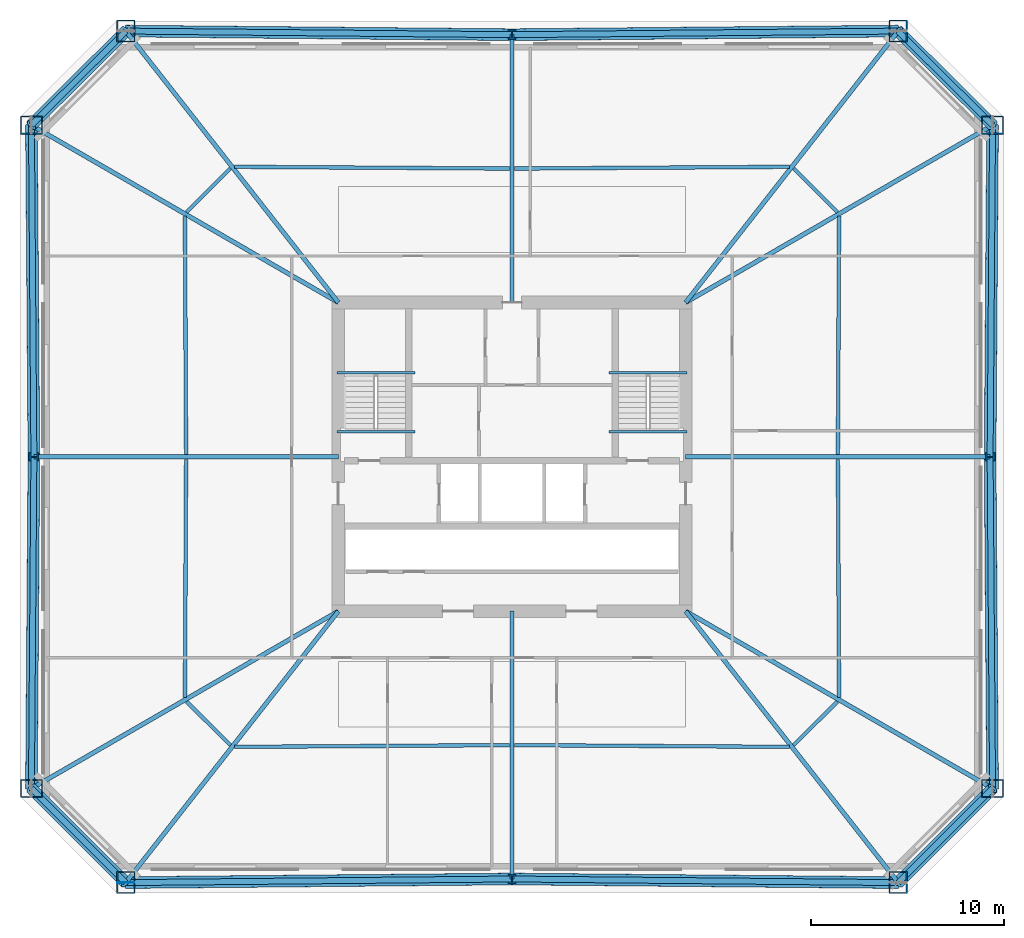
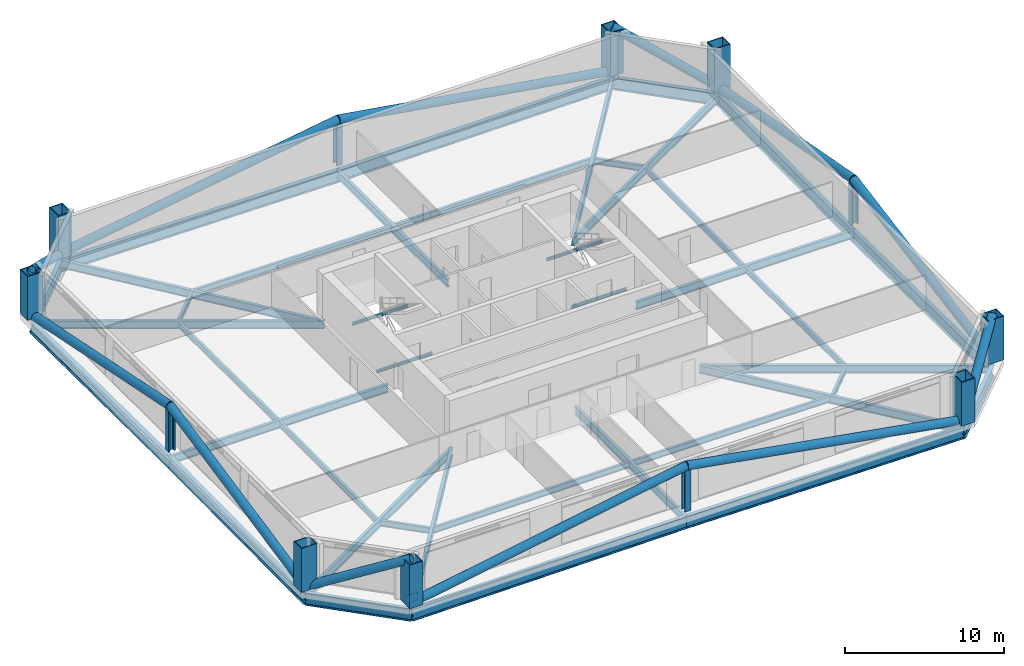
# One storey, part 1 of 8: 40 beams, 12 columns, 12 members, 1 plate.
"""IFC4 building model written with IfcOpenShell, lengths in metres."""

from ifc_helpers import new_model, si_unit, direction, frame, origin, origin_2d, place, context, subcontext, project, spatial, rectangle, hollow_rectangle, hollow_circle, i_section, extrude, material, layer, layer_set, material_profile, profile_set, type_object, element, save


model = new_model("IFC4")

# Units and contexts
model_context = context("Model", 3, precision=1e-05, world=origin(), true_north=direction((0.0, 1.0)))
body_context = subcontext(model_context, "Body", "Model", "MODEL_VIEW")
ifc_project = project(units=[si_unit("LENGTHUNIT", "METRE"), si_unit("AREAUNIT", "SQUARE_METRE"), si_unit("VOLUMEUNIT", "CUBIC_METRE"), si_unit("PLANEANGLEUNIT", "RADIAN"), si_unit("MASSUNIT", "GRAM", prefix="KILO")], contexts=[model_context])

# Site, building, storey
site_placement = place(None, origin())
site = spatial("IfcSite", under=ifc_project, at=site_placement, CompositionType="ELEMENT")
building_placement = place(site_placement, origin())
building = spatial("IfcBuilding", under=site, at=building_placement, Name="Caelvoria Tower", CompositionType="ELEMENT")
storey_placement = place(building_placement, frame((0.0, 0.0, 49.60009765625)))
storey = spatial("IfcBuildingStorey", under=building, at=storey_placement, Name="L12", CompositionType="ELEMENT", Elevation=49.60009765625)

# Columns
ifc_material_1 = material(Name="Structural Steel ASTM A913 Gr.65", Category="steel")
ifc_material_profile_1 = material_profile(ifc_material_1, i_section(OverallWidth=0.427978515625, OverallDepth=0.48291015625, WebThickness=0.050537109375, FlangeThickness=0.08154296875, FilletRadius=0.02490234375, at=origin_2d()), Name="Structural Steel ASTM A913 Gr.65")
ifc_profile_set_1 = profile_set([ifc_material_profile_1], Name="W360X677 - Structural Steel ASTM A913 Gr.65")
column_type_1 = type_object("IfcColumnType", Name="Heavy Frame Column W360X677", PredefinedType="COLUMN", material=ifc_profile_set_1)
for number, where, z_axis, x_axis, name in (
    (1, (46.0, 10.1201171875, 0.0), (0.0, 0.0, 1.0), (1.0, 0.0, 0.0), "Perimeter Megaframe Column L12-P01"),
    (2, (70.780029296875, 32.0, 0.0), (0.0, 0.0, 1.0), (0.0, 1.0, 0.0), "Perimeter Megaframe Column L12-P04"),
    (3, (46.0, 53.8798828125, 0.0), (0.0, 0.0, 1.0), (1.0, 0.0, 0.0), "Perimeter Megaframe Column L12-P07"),
    (4, (21.219970703125, 32.0, 0.0), (0.0, 0.0, 1.0), (0.0, 1.0, 0.0), "Perimeter Megaframe Column L12-P10"),
):
    element("IfcColumn", number, at=place(storey_placement, frame(where, z_axis=z_axis, x_axis=x_axis)), inside=storey, type_object=column_type_1, Name=name, PredefinedType="COLUMN", context=body_context, shape_type="SweptSolid", body=[
        extrude(i_section(OverallWidth=0.427978515625, OverallDepth=0.48291015625, WebThickness=0.050537109375, FlangeThickness=0.08154296875, FilletRadius=0.02490234375, at=origin_2d()), origin(), (0.0, 0.0, 1.0), 3.35791015625),
    ])
ifc_material_2 = material(Name="Structural Steel ASTM A572 Gr.50", Category="steel")
ifc_material_profile_2 = material_profile(ifc_material_2, hollow_rectangle(XDim=0.949951171875, YDim=1.14990234375, WallThickness=0.06005859375, at=origin_2d()), Name="Structural Steel ASTM A572 Gr.50")
ifc_profile_set_2 = profile_set([ifc_material_profile_2], Name="BOX1150X950X60 - Structural Steel ASTM A572 Gr.50")
column_type_2 = type_object("IfcColumnType", Name="Mega Box Column 1150x950x60", PredefinedType="COLUMN", material=ifc_profile_set_2)
for number, where, z_axis, x_axis, name in (
    (5, (25.983642578125, 9.933349609375, 0.0), (0.0, 0.0, 1.0), (1.0, 0.0, 0.0), "Perimeter Megaframe Column L12-P00"),
    (6, (66.016357421875, 9.933349609375, 0.0), (0.0, 0.0, 1.0), (1.0, 0.0, 0.0), "Perimeter Megaframe Column L12-P02"),
    (7, (70.907470703125, 14.80908203125, 0.0), (0.0, 0.0, 1.0), (0.0, 1.0, 0.0), "Perimeter Megaframe Column L12-P03"),
    (8, (70.907470703125, 49.19091796875, 0.0), (0.0, 0.0, 1.0), (0.0, 1.0, 0.0), "Perimeter Megaframe Column L12-P05"),
    (9, (66.016357421875, 54.066650390625, 0.0), (0.0, 0.0, 1.0), (1.0, 0.0, 0.0), "Perimeter Megaframe Column L12-P06"),
    (10, (25.983642578125, 54.066650390625, 0.0), (0.0, 0.0, 1.0), (1.0, 0.0, 0.0), "Perimeter Megaframe Column L12-P08"),
    (11, (21.092529296875, 49.19091796875, 0.0), (0.0, 0.0, 1.0), (0.0, 1.0, 0.0), "Perimeter Megaframe Column L12-P09"),
    (12, (21.092529296875, 14.80908203125, 0.0), (0.0, 0.0, 1.0), (0.0, 1.0, 0.0), "Perimeter Megaframe Column L12-P11"),
):
    element("IfcColumn", number, at=place(storey_placement, frame(where, z_axis=z_axis, x_axis=x_axis)), inside=storey, type_object=column_type_2, Name=name, PredefinedType="COLUMN", context=body_context, shape_type="SweptSolid", body=[
        extrude(hollow_rectangle(XDim=0.949951171875, YDim=1.14990234375, WallThickness=0.06005859375, at=origin_2d()), origin(), (0.0, 0.0, 1.0), 3.35791015625),
    ])

# Beams
ifc_material_3 = material(Name="Structural Steel ASTM A992 Gr.50", Category="steel")
ifc_material_profile_3 = material_profile(ifc_material_3, i_section(OverallWidth=0.134033203125, OverallDepth=0.2099609375, WebThickness=0.00634765625, FlangeThickness=0.01025390625, FilletRadius=0.010009765625, at=origin_2d()), Name="Structural Steel ASTM A992 Gr.50")
ifc_profile_set_3 = profile_set([ifc_material_profile_3], Name="W200X31.3 - Structural Steel ASTM A992 Gr.50")
beam_type_1 = type_object("IfcBeamType", Name="Canopy Edge Trim Beam W200X31.3", PredefinedType="BEAM", material=ifc_profile_set_3)
for number, where, z_axis, x_axis, name in (
    (13, (36.929931640625, 36.35009765625, 1.494873046875), (1.0, 0.0, 0.0), (0.0, 1.0, 0.0), "ST-01 Half-Landing Support Beam L12"),
    (14, (36.929931640625, 33.300048828125, -0.30517578125), (1.0, 0.0, 0.0), (0.0, 1.0, 0.0), "ST-01 Floor-Landing Support Beam L12"),
    (15, (51.030029296875, 36.35009765625, 1.494873046875), (1.0, 0.0, 0.0), (0.0, 1.0, 0.0), "ST-02 Half-Landing Support Beam L12"),
    (16, (51.030029296875, 33.300048828125, -0.30517578125), (1.0, 0.0, 0.0), (0.0, 1.0, 0.0), "ST-02 Floor-Landing Support Beam L12"),
):
    element("IfcBeam", number, at=place(storey_placement, frame(where, z_axis=z_axis, x_axis=x_axis)), inside=storey, type_object=beam_type_1, Name=name, PredefinedType="BEAM", context=body_context, shape_type="SweptSolid", body=[
        extrude(i_section(OverallWidth=0.134033203125, OverallDepth=0.2099609375, WebThickness=0.00634765625, FlangeThickness=0.01025390625, FilletRadius=0.010009765625, at=origin_2d()), origin(), (0.0, 0.0, 1.0), 4.0400390625),
    ])

# Members
ifc_material_profile_4 = material_profile(ifc_material_2, hollow_circle(Radius=0.304931640625, WallThickness=0.02490234375, at=origin_2d()), Name="Structural Steel ASTM A572 Gr.50")
ifc_profile_set_4 = profile_set([ifc_material_profile_4], Name="CHS610X25 - Structural Steel ASTM A572 Gr.50")
member_type = type_object("IfcMemberType", Name="Lower Perimeter Mega Brace CHS610X25", PredefinedType="BRACE", material=ifc_profile_set_4)
for number, where, z_axis, x_axis, name in (
    (17, (66.016357421875, 9.933349609375, 0.0), (0.636852711244, 0.634850029762, 0.437474643713), (-0.705992351769, 0.708219456979, 0.0), "Perimeter Chamfer Mega Brace L12 SE"),
    (18, (70.907470703125, 49.19091796875, 0.0), (-0.636852711244, 0.634850029762, 0.437474643713), (-0.705992351769, -0.708219456979, 0.0), "Perimeter Chamfer Mega Brace L12 NE"),
    (19, (25.983642578125, 54.066650390625, 0.0), (-0.636852711244, -0.634850029762, 0.437474643713), (0.705992351769, -0.708219456979, 0.0), "Perimeter Chamfer Mega Brace L12 NW"),
    (20, (21.092529296875, 14.80908203125, 0.0), (0.636852711244, -0.634850029762, 0.437474643713), (0.705992351769, 0.708219456979, 0.0), "Perimeter Chamfer Mega Brace L12 SW"),
):
    element("IfcMember", number, at=place(storey_placement, frame(where, z_axis=z_axis, x_axis=x_axis)), inside=storey, type_object=member_type, Name=name, PredefinedType="BRACE", context=body_context, shape_type="SweptSolid", body=[
        extrude(hollow_circle(Radius=0.304931640625, WallThickness=0.02490234375, at=origin_2d()), origin(), (0.0, 0.0, 1.0), 7.68017578125),
    ])
for number, where, z_axis, x_axis, name in (
    (21, (25.983642578125, 9.933349609375, 0.0), (0.986161327401, 0.009201622397, 0.165532977029), (-0.009330341403, 0.999956471417, 0.0), "Perimeter Cardinal Mega Brace L12 SA"),
    (22, (66.016357421875, 9.933349609375, 0.0), (-0.986161327401, 0.009201622397, 0.165532977029), (-0.009330341403, -0.999956471417, 0.0), "Perimeter Cardinal Mega Brace L12 SB"),
):
    element("IfcMember", number, at=place(storey_placement, frame(where, z_axis=z_axis, x_axis=x_axis)), inside=storey, type_object=member_type, Name=name, PredefinedType="BRACE", context=body_context, shape_type="SweptSolid", body=[
        extrude(hollow_circle(Radius=0.304931640625, WallThickness=0.02490234375, at=origin_2d()), origin(), (0.0, 0.0, 1.0), 20.29736328125),
    ])
for number, where, z_axis, x_axis, name in (
    (23, (70.907470703125, 14.80908203125, 0.0), (-0.00727544927, 0.981405143545, 0.191809833065), (-0.999972522635, -0.007413094794, 0.0), "Perimeter Cardinal Mega Brace L12 EA"),
    (24, (70.907470703125, 49.19091796875, 0.0), (-0.00727544927, -0.981405143545, 0.191809833065), (0.999972522635, -0.007413094794, 0.0), "Perimeter Cardinal Mega Brace L12 EB"),
):
    element("IfcMember", number, at=place(storey_placement, frame(where, z_axis=z_axis, x_axis=x_axis)), inside=storey, type_object=member_type, Name=name, PredefinedType="BRACE", context=body_context, shape_type="SweptSolid", body=[
        extrude(hollow_circle(Radius=0.304931640625, WallThickness=0.02490234375, at=origin_2d()), origin(), (0.0, 0.0, 1.0), 17.5166015625),
    ])
for number, where, z_axis, x_axis, name in (
    (25, (66.016357421875, 54.066650390625, 0.0), (-0.986161327401, -0.009201622397, 0.165532977029), (0.009330341403, -0.999956471417, 0.0), "Perimeter Cardinal Mega Brace L12 NA"),
    (26, (25.983642578125, 54.066650390625, 0.0), (0.986161327401, -0.009201622397, 0.165532977029), (0.009330341403, 0.999956471417, 0.0), "Perimeter Cardinal Mega Brace L12 NB"),
):
    element("IfcMember", number, at=place(storey_placement, frame(where, z_axis=z_axis, x_axis=x_axis)), inside=storey, type_object=member_type, Name=name, PredefinedType="BRACE", context=body_context, shape_type="SweptSolid", body=[
        extrude(hollow_circle(Radius=0.304931640625, WallThickness=0.02490234375, at=origin_2d()), origin(), (0.0, 0.0, 1.0), 20.29736328125),
    ])
for number, where, z_axis, x_axis, name in (
    (27, (21.092529296875, 49.19091796875, 0.0), (0.00727544927, -0.981405143545, 0.191809833065), (0.999972522635, 0.007413094794, 0.0), "Perimeter Cardinal Mega Brace L12 WA"),
    (28, (21.092529296875, 14.80908203125, 0.0), (0.00727544927, 0.981405143545, 0.191809833065), (-0.999972522635, 0.007413094794, 0.0), "Perimeter Cardinal Mega Brace L12 WB"),
):
    element("IfcMember", number, at=place(storey_placement, frame(where, z_axis=z_axis, x_axis=x_axis)), inside=storey, type_object=member_type, Name=name, PredefinedType="BRACE", context=body_context, shape_type="SweptSolid", body=[
        extrude(hollow_circle(Radius=0.304931640625, WallThickness=0.02490234375, at=origin_2d()), origin(), (0.0, 0.0, 1.0), 17.5166015625),
    ])

# Beams
ifc_material_profile_5 = material_profile(ifc_material_3, i_section(OverallWidth=0.30810546875, OverallDepth=0.927001953125, WebThickness=0.019287109375, FlangeThickness=0.031982421875, FilletRadius=0.02392578125, at=origin_2d()), Name="Structural Steel ASTM A992 Gr.50")
ifc_profile_set_5 = profile_set([ifc_material_profile_5], Name="W920X289 - Structural Steel ASTM A992 Gr.50")
beam_type_2 = type_object("IfcBeamType", Name="Outrigger Tie Girder W920X289", PredefinedType="BEAM", material=ifc_profile_set_5)
for number, where, z_axis, x_axis, name in (
    (29, (25.983642578125, 9.933349609375, -0.91357421875), (0.999956471417, 0.009330341403, 0.0), (-0.009330341403, 0.999956471417, 0.0), "Perimeter Spandrel Girder L12-00"),
    (30, (46.0, 10.1201171875, -0.91357421875), (0.999956471417, -0.009330341403, 0.0), (0.009330341403, 0.999956471417, 0.0), "Perimeter Spandrel Girder L12-01"),
):
    element("IfcBeam", number, at=place(storey_placement, frame(where, z_axis=z_axis, x_axis=x_axis)), inside=storey, type_object=beam_type_2, Name=name, PredefinedType="BEAM", context=body_context, shape_type="SweptSolid", body=[
        extrude(i_section(OverallWidth=0.30810546875, OverallDepth=0.927001953125, WebThickness=0.019287109375, FlangeThickness=0.031982421875, FilletRadius=0.02392578125, at=origin_2d()), origin(), (0.0, 0.0, 1.0), 20.017333984375),
    ])
beam_1_placement = place(storey_placement, frame((66.016357421875, 9.933349609375, -0.91357421875), z_axis=(0.708219456979, 0.705992351769, 0.0), x_axis=(-0.705992351769, 0.708219456979, 0.0)))
element("IfcBeam", 31, at=beam_1_placement, inside=storey, type_object=beam_type_2, Name="Perimeter Spandrel Girder L12-02", PredefinedType="BEAM", context=body_context, shape_type="SweptSolid", body=[
    extrude(i_section(OverallWidth=0.30810546875, OverallDepth=0.927001953125, WebThickness=0.019287109375, FlangeThickness=0.031982421875, FilletRadius=0.02392578125, at=origin_2d()), origin(), (0.0, 0.0, 1.0), 6.90625),
])
for number, where, z_axis, x_axis, name in (
    (32, (70.907470703125, 14.80908203125, -0.91357421875), (-0.007413094794, 0.999972522635, 0.0), (-0.999972522635, -0.007413094794, 0.0), "Perimeter Spandrel Girder L12-03"),
    (33, (70.780029296875, 32.0, -0.91357421875), (0.007413094794, 0.999972522635, 0.0), (-0.999972522635, 0.007413094794, 0.0), "Perimeter Spandrel Girder L12-04"),
):
    element("IfcBeam", number, at=place(storey_placement, frame(where, z_axis=z_axis, x_axis=x_axis)), inside=storey, type_object=beam_type_2, Name=name, PredefinedType="BEAM", context=body_context, shape_type="SweptSolid", body=[
        extrude(i_section(OverallWidth=0.30810546875, OverallDepth=0.927001953125, WebThickness=0.019287109375, FlangeThickness=0.031982421875, FilletRadius=0.02392578125, at=origin_2d()), origin(), (0.0, 0.0, 1.0), 17.19140625),
    ])
beam_2_placement = place(storey_placement, frame((70.907470703125, 49.19091796875, -0.91357421875), z_axis=(-0.708219456979, 0.705992351769, 0.0), x_axis=(-0.705992351769, -0.708219456979, 0.0)))
element("IfcBeam", 34, at=beam_2_placement, inside=storey, type_object=beam_type_2, Name="Perimeter Spandrel Girder L12-05", PredefinedType="BEAM", context=body_context, shape_type="SweptSolid", body=[
    extrude(i_section(OverallWidth=0.30810546875, OverallDepth=0.927001953125, WebThickness=0.019287109375, FlangeThickness=0.031982421875, FilletRadius=0.02392578125, at=origin_2d()), origin(), (0.0, 0.0, 1.0), 6.90625),
])
for number, where, z_axis, x_axis, name in (
    (35, (66.016357421875, 54.066650390625, -0.91357421875), (-0.999956471417, -0.009330341403, 0.0), (0.009330341403, -0.999956471417, 0.0), "Perimeter Spandrel Girder L12-06"),
    (36, (46.0, 53.8798828125, -0.91357421875), (-0.999956471417, 0.009330341403, 0.0), (-0.009330341403, -0.999956471417, 0.0), "Perimeter Spandrel Girder L12-07"),
):
    element("IfcBeam", number, at=place(storey_placement, frame(where, z_axis=z_axis, x_axis=x_axis)), inside=storey, type_object=beam_type_2, Name=name, PredefinedType="BEAM", context=body_context, shape_type="SweptSolid", body=[
        extrude(i_section(OverallWidth=0.30810546875, OverallDepth=0.927001953125, WebThickness=0.019287109375, FlangeThickness=0.031982421875, FilletRadius=0.02392578125, at=origin_2d()), origin(), (0.0, 0.0, 1.0), 20.017333984375),
    ])
beam_3_placement = place(storey_placement, frame((25.983642578125, 54.066650390625, -0.91357421875), z_axis=(-0.708219456979, -0.705992351769, 0.0), x_axis=(0.705992351769, -0.708219456979, 0.0)))
element("IfcBeam", 37, at=beam_3_placement, inside=storey, type_object=beam_type_2, Name="Perimeter Spandrel Girder L12-08", PredefinedType="BEAM", context=body_context, shape_type="SweptSolid", body=[
    extrude(i_section(OverallWidth=0.30810546875, OverallDepth=0.927001953125, WebThickness=0.019287109375, FlangeThickness=0.031982421875, FilletRadius=0.02392578125, at=origin_2d()), origin(), (0.0, 0.0, 1.0), 6.90625),
])
for number, where, z_axis, x_axis, name in (
    (38, (21.092529296875, 49.19091796875, -0.91357421875), (0.007413094794, -0.999972522635, 0.0), (0.999972522635, 0.007413094794, 0.0), "Perimeter Spandrel Girder L12-09"),
    (39, (21.219970703125, 32.0, -0.91357421875), (-0.007413094794, -0.999972522635, 0.0), (0.999972522635, -0.007413094794, 0.0), "Perimeter Spandrel Girder L12-10"),
):
    element("IfcBeam", number, at=place(storey_placement, frame(where, z_axis=z_axis, x_axis=x_axis)), inside=storey, type_object=beam_type_2, Name=name, PredefinedType="BEAM", context=body_context, shape_type="SweptSolid", body=[
        extrude(i_section(OverallWidth=0.30810546875, OverallDepth=0.927001953125, WebThickness=0.019287109375, FlangeThickness=0.031982421875, FilletRadius=0.02392578125, at=origin_2d()), origin(), (0.0, 0.0, 1.0), 17.19140625),
    ])
beam_4_placement = place(storey_placement, frame((21.092529296875, 14.80908203125, -0.91357421875), z_axis=(0.708219456979, -0.705992351769, 0.0), x_axis=(0.705992351769, 0.708219456979, 0.0)))
element("IfcBeam", 40, at=beam_4_placement, inside=storey, type_object=beam_type_2, Name="Perimeter Spandrel Girder L12-11", PredefinedType="BEAM", context=body_context, shape_type="SweptSolid", body=[
    extrude(i_section(OverallWidth=0.30810546875, OverallDepth=0.927001953125, WebThickness=0.019287109375, FlangeThickness=0.031982421875, FilletRadius=0.02392578125, at=origin_2d()), origin(), (0.0, 0.0, 1.0), 6.90625),
])
ifc_material_profile_6 = material_profile(ifc_material_3, i_section(OverallWidth=0.22900390625, OverallDepth=0.612060546875, WebThickness=0.011962890625, FlangeThickness=0.01953125, FilletRadius=0.01806640625, at=origin_2d()), Name="Structural Steel ASTM A992 Gr.50")
ifc_profile_set_6 = profile_set([ifc_material_profile_6], Name="W610X125 - Structural Steel ASTM A992 Gr.50")
beam_type_3 = type_object("IfcBeamType", Name="Primary Radial Floor Girder W610X125", PredefinedType="BEAM", material=ifc_profile_set_6)
beam_5_placement = place(storey_placement, frame((37.0, 24.0, -0.756103515625), z_axis=(-0.616574608336, -0.787296483134, 0.0), x_axis=(0.787296483134, -0.616574608336, 0.0)))
element("IfcBeam", 41, at=beam_5_placement, inside=storey, type_object=beam_type_3, Name="Primary Floor Girder L12-00", PredefinedType="BEAM", context=body_context, shape_type="SweptSolid", body=[
    extrude(i_section(OverallWidth=0.22900390625, OverallDepth=0.612060546875, WebThickness=0.011962890625, FlangeThickness=0.01953125, FilletRadius=0.01806640625, at=origin_2d()), origin(), (0.0, 0.0, 1.0), 17.866943359375),
])
beam_6_placement = place(storey_placement, frame((46.0, 24.0, -0.756103515625), z_axis=(0.0, -1.0, 0.0), x_axis=(1.0, 0.0, 0.0)))
element("IfcBeam", 42, at=beam_6_placement, inside=storey, type_object=beam_type_3, Name="Primary Floor Girder L12-01", PredefinedType="BEAM", context=body_context, shape_type="SweptSolid", body=[
    extrude(i_section(OverallWidth=0.22900390625, OverallDepth=0.612060546875, WebThickness=0.011962890625, FlangeThickness=0.01953125, FilletRadius=0.01806640625, at=origin_2d()), origin(), (0.0, 0.0, 1.0), 13.8798828125),
])
beam_7_placement = place(storey_placement, frame((55.0, 24.0, -0.756103515625), z_axis=(0.616574608336, -0.787296483134, 0.0), x_axis=(0.787296483134, 0.616574608336, 0.0)))
element("IfcBeam", 43, at=beam_7_placement, inside=storey, type_object=beam_type_3, Name="Primary Floor Girder L12-02", PredefinedType="BEAM", context=body_context, shape_type="SweptSolid", body=[
    extrude(i_section(OverallWidth=0.22900390625, OverallDepth=0.612060546875, WebThickness=0.011962890625, FlangeThickness=0.01953125, FilletRadius=0.01806640625, at=origin_2d()), origin(), (0.0, 0.0, 1.0), 17.866943359375),
])
beam_8_placement = place(storey_placement, frame((55.0, 24.0, -0.756103515625), z_axis=(0.865866608281, -0.500274941071, 0.0), x_axis=(0.500274941071, 0.865866608281, 0.0)))
element("IfcBeam", 44, at=beam_8_placement, inside=storey, type_object=beam_type_3, Name="Primary Floor Girder L12-03", PredefinedType="BEAM", context=body_context, shape_type="SweptSolid", body=[
    extrude(i_section(OverallWidth=0.22900390625, OverallDepth=0.612060546875, WebThickness=0.011962890625, FlangeThickness=0.01953125, FilletRadius=0.01806640625, at=origin_2d()), origin(), (0.0, 0.0, 1.0), 18.371826171875),
])
beam_9_placement = place(storey_placement, frame((55.0, 32.0, -0.756103515625), z_axis=(1.0, 0.0, 0.0), x_axis=(0.0, 1.0, 0.0)))
element("IfcBeam", 45, at=beam_9_placement, inside=storey, type_object=beam_type_3, Name="Primary Floor Girder L12-04", PredefinedType="BEAM", context=body_context, shape_type="SweptSolid", body=[
    extrude(i_section(OverallWidth=0.22900390625, OverallDepth=0.612060546875, WebThickness=0.011962890625, FlangeThickness=0.01953125, FilletRadius=0.01806640625, at=origin_2d()), origin(), (0.0, 0.0, 1.0), 15.780029296875),
])
beam_10_placement = place(storey_placement, frame((55.0, 40.0, -0.756103515625), z_axis=(0.865866608281, 0.500274941071, 0.0), x_axis=(-0.500274941071, 0.865866608281, 0.0)))
element("IfcBeam", 46, at=beam_10_placement, inside=storey, type_object=beam_type_3, Name="Primary Floor Girder L12-05", PredefinedType="BEAM", context=body_context, shape_type="SweptSolid", body=[
    extrude(i_section(OverallWidth=0.22900390625, OverallDepth=0.612060546875, WebThickness=0.011962890625, FlangeThickness=0.01953125, FilletRadius=0.01806640625, at=origin_2d()), origin(), (0.0, 0.0, 1.0), 18.371826171875),
])
beam_11_placement = place(storey_placement, frame((55.0, 40.0, -0.756103515625), z_axis=(0.616574608336, 0.787296483134, 0.0), x_axis=(-0.787296483134, 0.616574608336, 0.0)))
element("IfcBeam", 47, at=beam_11_placement, inside=storey, type_object=beam_type_3, Name="Primary Floor Girder L12-06", PredefinedType="BEAM", context=body_context, shape_type="SweptSolid", body=[
    extrude(i_section(OverallWidth=0.22900390625, OverallDepth=0.612060546875, WebThickness=0.011962890625, FlangeThickness=0.01953125, FilletRadius=0.01806640625, at=origin_2d()), origin(), (0.0, 0.0, 1.0), 17.866943359375),
])
beam_12_placement = place(storey_placement, frame((46.0, 40.0, -0.756103515625), z_axis=(0.0, 1.0, 0.0), x_axis=(-1.0, 0.0, 0.0)))
element("IfcBeam", 48, at=beam_12_placement, inside=storey, type_object=beam_type_3, Name="Primary Floor Girder L12-07", PredefinedType="BEAM", context=body_context, shape_type="SweptSolid", body=[
    extrude(i_section(OverallWidth=0.22900390625, OverallDepth=0.612060546875, WebThickness=0.011962890625, FlangeThickness=0.01953125, FilletRadius=0.01806640625, at=origin_2d()), origin(), (0.0, 0.0, 1.0), 13.8798828125),
])
beam_13_placement = place(storey_placement, frame((37.0, 40.0, -0.756103515625), z_axis=(-0.616574608336, 0.787296483134, 0.0), x_axis=(-0.787296483134, -0.616574608336, 0.0)))
element("IfcBeam", 49, at=beam_13_placement, inside=storey, type_object=beam_type_3, Name="Primary Floor Girder L12-08", PredefinedType="BEAM", context=body_context, shape_type="SweptSolid", body=[
    extrude(i_section(OverallWidth=0.22900390625, OverallDepth=0.612060546875, WebThickness=0.011962890625, FlangeThickness=0.01953125, FilletRadius=0.01806640625, at=origin_2d()), origin(), (0.0, 0.0, 1.0), 17.866943359375),
])
beam_14_placement = place(storey_placement, frame((37.0, 40.0, -0.756103515625), z_axis=(-0.865866608281, 0.500274941071, 0.0), x_axis=(-0.500274941071, -0.865866608281, 0.0)))
element("IfcBeam", 50, at=beam_14_placement, inside=storey, type_object=beam_type_3, Name="Primary Floor Girder L12-09", PredefinedType="BEAM", context=body_context, shape_type="SweptSolid", body=[
    extrude(i_section(OverallWidth=0.22900390625, OverallDepth=0.612060546875, WebThickness=0.011962890625, FlangeThickness=0.01953125, FilletRadius=0.01806640625, at=origin_2d()), origin(), (0.0, 0.0, 1.0), 18.371826171875),
])
beam_15_placement = place(storey_placement, frame((37.0, 32.0, -0.756103515625), z_axis=(-1.0, 0.0, 0.0), x_axis=(0.0, -1.0, 0.0)))
element("IfcBeam", 51, at=beam_15_placement, inside=storey, type_object=beam_type_3, Name="Primary Floor Girder L12-10", PredefinedType="BEAM", context=body_context, shape_type="SweptSolid", body=[
    extrude(i_section(OverallWidth=0.22900390625, OverallDepth=0.612060546875, WebThickness=0.011962890625, FlangeThickness=0.01953125, FilletRadius=0.01806640625, at=origin_2d()), origin(), (0.0, 0.0, 1.0), 15.780029296875),
])
beam_16_placement = place(storey_placement, frame((37.0, 24.0, -0.756103515625), z_axis=(-0.865866608281, -0.500274941071, 0.0), x_axis=(0.500274941071, -0.865866608281, 0.0)))
element("IfcBeam", 52, at=beam_16_placement, inside=storey, type_object=beam_type_3, Name="Primary Floor Girder L12-11", PredefinedType="BEAM", context=body_context, shape_type="SweptSolid", body=[
    extrude(i_section(OverallWidth=0.22900390625, OverallDepth=0.612060546875, WebThickness=0.011962890625, FlangeThickness=0.01953125, FilletRadius=0.01806640625, at=origin_2d()), origin(), (0.0, 0.0, 1.0), 18.371826171875),
])
ifc_material_profile_7 = material_profile(ifc_material_3, i_section(OverallWidth=0.18994140625, OverallDepth=0.45703125, WebThickness=0.009033203125, FlangeThickness=0.014404296875, FilletRadius=0.014892578125, at=origin_2d()), Name="Structural Steel ASTM A992 Gr.50")
ifc_profile_set_7 = profile_set([ifc_material_profile_7], Name="W460X74 - Structural Steel ASTM A992 Gr.50")
beam_type_4 = type_object("IfcBeamType", Name="Secondary Floor Beam W460X74", PredefinedType="BEAM", material=ifc_profile_set_7)
for number, where, z_axis, x_axis, name in (
    (53, (31.61669921875, 16.967529296875, -0.6787109375), (0.999979385934, 0.006420880616, 0.0), (-0.006420880616, 0.999979385934, 0.0), "Secondary Floor Beam L12-00"),
    (54, (46.125, 17.05908203125, -0.6787109375), (0.999979385934, -0.006420880616, 0.0), (0.006420880616, 0.999979385934, 0.0), "Secondary Floor Beam L12-01"),
):
    element("IfcBeam", number, at=place(storey_placement, frame(where, z_axis=z_axis, x_axis=x_axis)), inside=storey, type_object=beam_type_4, Name=name, PredefinedType="BEAM", context=body_context, shape_type="SweptSolid", body=[
        extrude(i_section(OverallWidth=0.18994140625, OverallDepth=0.45703125, WebThickness=0.009033203125, FlangeThickness=0.014404296875, FilletRadius=0.014892578125, at=origin_2d()), origin(), (0.0, 0.0, 1.0), 14.258544921875),
    ])
beam_17_placement = place(storey_placement, frame((60.5966796875, 17.054931640625, -0.6787109375), z_axis=(0.708211068275, 0.706000766835, 0.0), x_axis=(-0.706000766835, 0.708211068275, 0.0)))
element("IfcBeam", 55, at=beam_17_placement, inside=storey, type_object=beam_type_4, Name="Secondary Floor Beam L12-02", PredefinedType="BEAM", context=body_context, shape_type="SweptSolid", body=[
    extrude(i_section(OverallWidth=0.18994140625, OverallDepth=0.45703125, WebThickness=0.009033203125, FlangeThickness=0.014404296875, FilletRadius=0.014892578125, at=origin_2d()), origin(), (0.0, 0.0, 1.0), 3.203125),
])
for number, where, z_axis, x_axis, name in (
    (56, (62.953125, 19.529541015625, -0.6787109375), (-0.005062525351, 0.999987185336, 0.0), (-0.999987185336, -0.005062525351, 0.0), "Secondary Floor Beam L12-03"),
    (57, (62.890625, 32.125, -0.6787109375), (0.005062525351, 0.999987185336, 0.0), (-0.999987185336, 0.005062525351, 0.0), "Secondary Floor Beam L12-04"),
):
    element("IfcBeam", number, at=place(storey_placement, frame(where, z_axis=z_axis, x_axis=x_axis)), inside=storey, type_object=beam_type_4, Name=name, PredefinedType="BEAM", context=body_context, shape_type="SweptSolid", body=[
        extrude(i_section(OverallWidth=0.18994140625, OverallDepth=0.45703125, WebThickness=0.009033203125, FlangeThickness=0.014404296875, FilletRadius=0.014892578125, at=origin_2d()), origin(), (0.0, 0.0, 1.0), 12.345703125),
    ])
beam_18_placement = place(storey_placement, frame((62.865234375, 44.68359375, -0.6787109375), z_axis=(-0.708211068275, 0.706000766835, 0.0), x_axis=(-0.706000766835, -0.708211068275, 0.0)))
element("IfcBeam", 58, at=beam_18_placement, inside=storey, type_object=beam_type_4, Name="Secondary Floor Beam L12-05", PredefinedType="BEAM", context=body_context, shape_type="SweptSolid", body=[
    extrude(i_section(OverallWidth=0.18994140625, OverallDepth=0.45703125, WebThickness=0.009033203125, FlangeThickness=0.014404296875, FilletRadius=0.014892578125, at=origin_2d()), origin(), (0.0, 0.0, 1.0), 3.203125),
])
for number, where, z_axis, x_axis, name in (
    (59, (60.38330078125, 47.032470703125, -0.6787109375), (-0.999979385934, -0.006420880616, 0.0), (0.006420880616, -0.999979385934, 0.0), "Secondary Floor Beam L12-06"),
    (60, (45.875, 46.94091796875, -0.6787109375), (-0.999979385934, 0.006420880616, 0.0), (-0.006420880616, -0.999979385934, 0.0), "Secondary Floor Beam L12-07"),
):
    element("IfcBeam", number, at=place(storey_placement, frame(where, z_axis=z_axis, x_axis=x_axis)), inside=storey, type_object=beam_type_4, Name=name, PredefinedType="BEAM", context=body_context, shape_type="SweptSolid", body=[
        extrude(i_section(OverallWidth=0.18994140625, OverallDepth=0.45703125, WebThickness=0.009033203125, FlangeThickness=0.014404296875, FilletRadius=0.014892578125, at=origin_2d()), origin(), (0.0, 0.0, 1.0), 14.258544921875),
    ])
beam_19_placement = place(storey_placement, frame((31.4033203125, 46.945068359375, -0.6787109375), z_axis=(-0.708211068275, -0.706000766835, 0.0), x_axis=(0.706000766835, -0.708211068275, 0.0)))
element("IfcBeam", 61, at=beam_19_placement, inside=storey, type_object=beam_type_4, Name="Secondary Floor Beam L12-08", PredefinedType="BEAM", context=body_context, shape_type="SweptSolid", body=[
    extrude(i_section(OverallWidth=0.18994140625, OverallDepth=0.45703125, WebThickness=0.009033203125, FlangeThickness=0.014404296875, FilletRadius=0.014892578125, at=origin_2d()), origin(), (0.0, 0.0, 1.0), 3.203125),
])
for number, where, z_axis, x_axis, name in (
    (62, (29.046875, 44.470458984375, -0.6787109375), (0.005062525351, -0.999987185336, 0.0), (0.999987185336, 0.005062525351, 0.0), "Secondary Floor Beam L12-09"),
    (63, (29.109375, 31.875, -0.6787109375), (-0.005062525351, -0.999987185336, 0.0), (0.999987185336, -0.005062525351, 0.0), "Secondary Floor Beam L12-10"),
):
    element("IfcBeam", number, at=place(storey_placement, frame(where, z_axis=z_axis, x_axis=x_axis)), inside=storey, type_object=beam_type_4, Name=name, PredefinedType="BEAM", context=body_context, shape_type="SweptSolid", body=[
        extrude(i_section(OverallWidth=0.18994140625, OverallDepth=0.45703125, WebThickness=0.009033203125, FlangeThickness=0.014404296875, FilletRadius=0.014892578125, at=origin_2d()), origin(), (0.0, 0.0, 1.0), 12.345703125),
    ])
beam_20_placement = place(storey_placement, frame((29.134765625, 19.31640625, -0.6787109375), z_axis=(0.708211068275, -0.706000766835, 0.0), x_axis=(0.706000766835, 0.708211068275, 0.0)))
element("IfcBeam", 64, at=beam_20_placement, inside=storey, type_object=beam_type_4, Name="Secondary Floor Beam L12-11", PredefinedType="BEAM", context=body_context, shape_type="SweptSolid", body=[
    extrude(i_section(OverallWidth=0.18994140625, OverallDepth=0.45703125, WebThickness=0.009033203125, FlangeThickness=0.014404296875, FilletRadius=0.014892578125, at=origin_2d()), origin(), (0.0, 0.0, 1.0), 3.203125),
])

# Plate
ifc_layer = layer(ifc_material_2, 0.0400390625, Name="Structural Steel ASTM A572 Gr.50")
ifc_layer_set = layer_set([ifc_layer], Name="Megaframe Node Gusset Plate 900x600x40 - Structural Steel ASTM A572 Gr.50")
plate_type = type_object("IfcPlateType", Name="Megaframe Node Gusset Plate 900x600x40", PredefinedType="USERDEFINED", material=ifc_layer_set)
plate_placement = place(storey_placement, frame((25.983642578125, 9.933349609375, 0.0498046875), z_axis=(0.0, 0.0, 1.0), x_axis=(0.999956503482, 0.009326904291, 0.0)))
element("IfcPlate", 65, at=plate_placement, inside=storey, type_object=plate_type, Name="Megaframe Node Gusset Plate ND-01", ObjectType="GUSSET_PLATE", PredefinedType="USERDEFINED", context=body_context, shape_type="SweptSolid", body=[
    extrude(rectangle(XDim=0.89990234375, YDim=0.0400390625, at=origin_2d()), origin(), (0.0, 0.0, 1.0), 0.60009765625),
])

save(model, "model.ifc")
